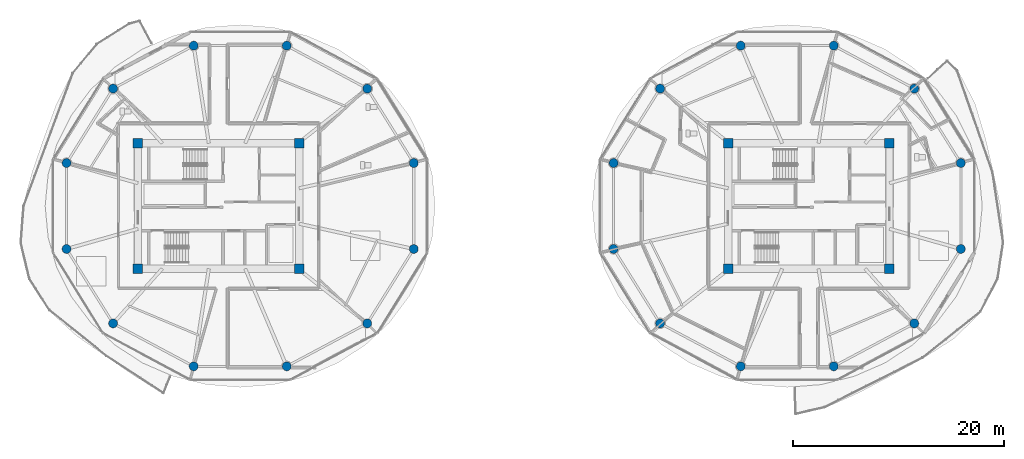
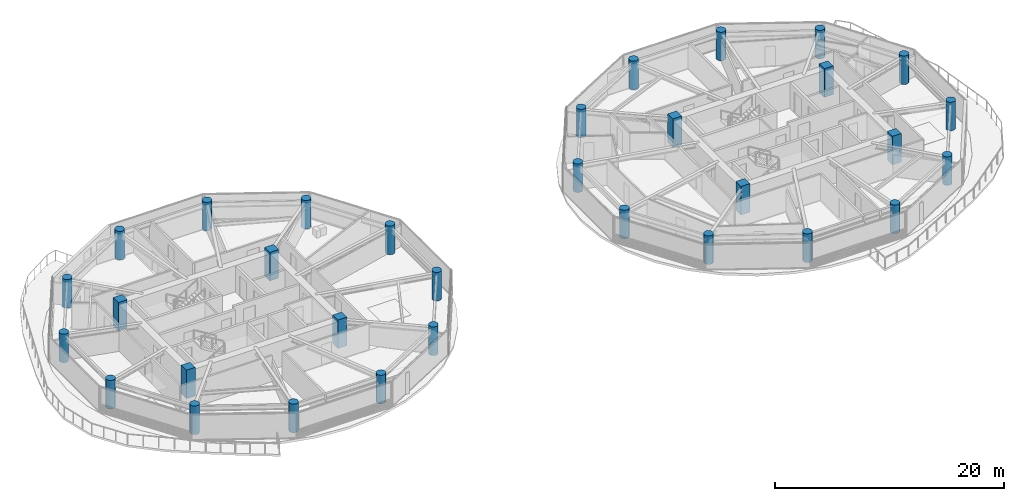
# One storey, part 1 of 25: 32 columns.
"""IFC4 building model written with IfcOpenShell, lengths in metres."""

from ifc_helpers import new_model, si_unit, direction, frame, origin, origin_2d, place, context, subcontext, project, spatial, rectangle, circle, extrude, source, transform, mapped, material, material_profile, profile_set, type_object, type_shapes, element, save


model = new_model("IFC4")

# Units and contexts
model_context = context("Model", 3, precision=1e-05, world=origin(), true_north=direction((0.0, 1.0)))
body_context = subcontext(model_context, "Body", "Model", "MODEL_VIEW")
ifc_project = project(units=[si_unit("LENGTHUNIT", "METRE"), si_unit("AREAUNIT", "SQUARE_METRE"), si_unit("VOLUMEUNIT", "CUBIC_METRE"), si_unit("PLANEANGLEUNIT", "RADIAN"), si_unit("MASSUNIT", "GRAM", prefix="KILO")], contexts=[model_context])

# Site, building, storey
site_placement = place(None, origin())
site = spatial("IfcSite", under=ifc_project, at=site_placement, CompositionType="ELEMENT")
building_placement = place(site_placement, origin())
building = spatial("IfcBuilding", under=site, at=building_placement, Name="Norrkilde Senior Care Towers", CompositionType="ELEMENT")
storey_placement = place(building_placement, frame((0.0, 0.0, 99.300048828125)))
storey = spatial("IfcBuildingStorey", under=building, at=storey_placement, Name="L30", CompositionType="ELEMENT", Elevation=99.300048828125)

# Columns
ifc_material = material(Name="Concrete C60/75", Category="concrete")
ifc_material_profile_1 = material_profile(ifc_material, rectangle(XDim=0.89990234375, YDim=0.89990234375, at=origin_2d()), Name="RC COL 900x900")
ifc_profile_set_1 = profile_set([ifc_material_profile_1], Name="Concrete C60/75")
column_type_1 = type_object("IfcColumnType", Name="Column Core Corner Z1-Z2 900", PredefinedType="COLUMN", material=ifc_profile_set_1)
shared_shape_1 = source(origin(), body_context, "Body", "SweptSolid", [
    extrude(rectangle(XDim=0.89990234375, YDim=0.89990234375, at=origin_2d()), origin(), (0.0, 0.0, 1.0), 3.050048828125),
])
type_shapes(column_type_1, [shared_shape_1])
for number, where, z_axis, x_axis, name in (
    (1, (-35.64990234375, -5.949951171875, 0.0), (0.0, 0.0, 1.0), (1.0, 0.0, 0.0), "L30 Core W Corner Column 1"),
    (2, (-20.35009765625, -5.949951171875, 0.0), (0.0, 0.0, 1.0), (1.0, 0.0, 0.0), "L30 Core W Corner Column 2"),
    (3, (-20.35009765625, 5.949951171875, 0.0), (0.0, 0.0, 1.0), (1.0, 0.0, 0.0), "L30 Core W Corner Column 3"),
    (4, (-35.64990234375, 5.949951171875, 0.0), (0.0, 0.0, 1.0), (1.0, 0.0, 0.0), "L30 Core W Corner Column 4"),
    (5, (20.35009765625, -5.949951171875, 0.0), (0.0, 0.0, 1.0), (1.0, 0.0, 0.0), "L30 Core E Corner Column 1"),
    (6, (35.64990234375, -5.949951171875, 0.0), (0.0, 0.0, 1.0), (1.0, 0.0, 0.0), "L30 Core E Corner Column 2"),
    (7, (35.64990234375, 5.949951171875, 0.0), (0.0, 0.0, 1.0), (1.0, 0.0, 0.0), "L30 Core E Corner Column 3"),
    (8, (20.35009765625, 5.949951171875, 0.0), (0.0, 0.0, 1.0), (1.0, 0.0, 0.0), "L30 Core E Corner Column 4"),
):
    element("IfcColumn", number, at=place(storey_placement, frame(where, z_axis=z_axis, x_axis=x_axis)), inside=storey, type_object=column_type_1, Name=name, PredefinedType="COLUMN", context=body_context, shape_type="MappedRepresentation", body=[
        mapped(shared_shape_1, transform((0.0, 0.0, 0.0), x_axis=(1.0, 0.0, 0.0), y_axis=(0.0, 1.0, 0.0), z_axis=(0.0, 0.0, 1.0), scale=1.0)),
    ])
ifc_material_profile_2 = material_profile(ifc_material, circle(Radius=0.425048828125, at=origin_2d()), Name="RC CIR 850")
ifc_profile_set_2 = profile_set([ifc_material_profile_2], Name="Concrete C60/75")
column_type_2 = type_object("IfcColumnType", Name="Column Perimeter Z2 850", PredefinedType="COLUMN", material=ifc_profile_set_2)
shared_shape_2 = source(origin(), body_context, "Body", "SweptSolid", [
    extrude(circle(Radius=0.425048828125, at=origin_2d()), origin(), (0.0, 0.0, 1.0), 3.050048828125),
])
type_shapes(column_type_2, [shared_shape_2])
for number, where, z_axis, x_axis, name in (
    (9, (-9.48095703125, 4.076416015625, 0.0), (0.0, 0.0, 1.0), (1.0, 0.0, 0.0), "L30 Drum W Perimeter Column 01"),
    (10, (-13.893798828125, 11.136962890625, 0.0), (0.0, 0.0, 1.0), (1.0, 0.0, 0.0), "L30 Drum W Perimeter Column 02"),
    (11, (-21.537109375, 15.21337890625, 0.0), (0.0, 0.0, 1.0), (1.0, 0.0, 0.0), "L30 Drum W Perimeter Column 03"),
    (12, (-30.36279296875, 15.21337890625, 0.0), (0.0, 0.0, 1.0), (1.0, 0.0, 0.0), "L30 Drum W Perimeter Column 04"),
    (13, (-38.006103515625, 11.136962890625, 0.0), (0.0, 0.0, 1.0), (1.0, 0.0, 0.0), "L30 Drum W Perimeter Column 05"),
    (14, (-42.4189453125, 4.076416015625, 0.0), (0.0, 0.0, 1.0), (1.0, 0.0, 0.0), "L30 Drum W Perimeter Column 06"),
    (15, (-42.4189453125, -4.076416015625, 0.0), (0.0, 0.0, 1.0), (1.0, 0.0, 0.0), "L30 Drum W Perimeter Column 07"),
    (16, (-38.006103515625, -11.136962890625, 0.0), (0.0, 0.0, 1.0), (1.0, 0.0, 0.0), "L30 Drum W Perimeter Column 08"),
    (17, (-30.36279296875, -15.21337890625, 0.0), (0.0, 0.0, 1.0), (1.0, 0.0, 0.0), "L30 Drum W Perimeter Column 09"),
    (18, (-21.537109375, -15.21337890625, 0.0), (0.0, 0.0, 1.0), (1.0, 0.0, 0.0), "L30 Drum W Perimeter Column 10"),
    (19, (-13.893798828125, -11.136962890625, 0.0), (0.0, 0.0, 1.0), (1.0, 0.0, 0.0), "L30 Drum W Perimeter Column 11"),
    (20, (-9.48095703125, -4.076416015625, 0.0), (0.0, 0.0, 1.0), (1.0, 0.0, 0.0), "L30 Drum W Perimeter Column 12"),
    (21, (42.4189453125, 4.076416015625, 0.0), (0.0, 0.0, 1.0), (1.0, 0.0, 0.0), "L30 Drum E Perimeter Column 01"),
    (22, (38.006103515625, 11.136962890625, 0.0), (0.0, 0.0, 1.0), (1.0, 0.0, 0.0), "L30 Drum E Perimeter Column 02"),
    (23, (30.36279296875, 15.21337890625, 0.0), (0.0, 0.0, 1.0), (1.0, 0.0, 0.0), "L30 Drum E Perimeter Column 03"),
    (24, (21.537109375, 15.21337890625, 0.0), (0.0, 0.0, 1.0), (1.0, 0.0, 0.0), "L30 Drum E Perimeter Column 04"),
    (25, (13.893798828125, 11.136962890625, 0.0), (0.0, 0.0, 1.0), (1.0, 0.0, 0.0), "L30 Drum E Perimeter Column 05"),
    (26, (9.48095703125, 4.076416015625, 0.0), (0.0, 0.0, 1.0), (1.0, 0.0, 0.0), "L30 Drum E Perimeter Column 06"),
    (27, (9.48095703125, -4.076416015625, 0.0), (0.0, 0.0, 1.0), (1.0, 0.0, 0.0), "L30 Drum E Perimeter Column 07"),
    (28, (13.893798828125, -11.136962890625, 0.0), (0.0, 0.0, 1.0), (1.0, 0.0, 0.0), "L30 Drum E Perimeter Column 08"),
    (29, (21.537109375, -15.21337890625, 0.0), (0.0, 0.0, 1.0), (1.0, 0.0, 0.0), "L30 Drum E Perimeter Column 09"),
    (30, (30.36279296875, -15.21337890625, 0.0), (0.0, 0.0, 1.0), (1.0, 0.0, 0.0), "L30 Drum E Perimeter Column 10"),
    (31, (38.006103515625, -11.136962890625, 0.0), (0.0, 0.0, 1.0), (1.0, 0.0, 0.0), "L30 Drum E Perimeter Column 11"),
    (32, (42.4189453125, -4.076416015625, 0.0), (0.0, 0.0, 1.0), (1.0, 0.0, 0.0), "L30 Drum E Perimeter Column 12"),
):
    element("IfcColumn", number, at=place(storey_placement, frame(where, z_axis=z_axis, x_axis=x_axis)), inside=storey, type_object=column_type_2, Name=name, PredefinedType="COLUMN", context=body_context, shape_type="MappedRepresentation", body=[
        mapped(shared_shape_2, transform((0.0, 0.0, 0.0), x_axis=(1.0, 0.0, 0.0), y_axis=(0.0, 1.0, 0.0), z_axis=(0.0, 0.0, 1.0), scale=1.0)),
    ])

save(model, "model.ifc")
